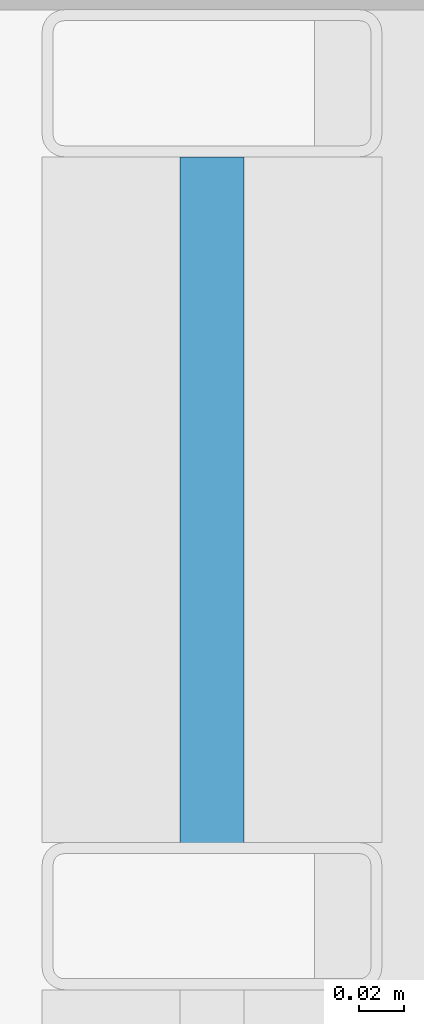
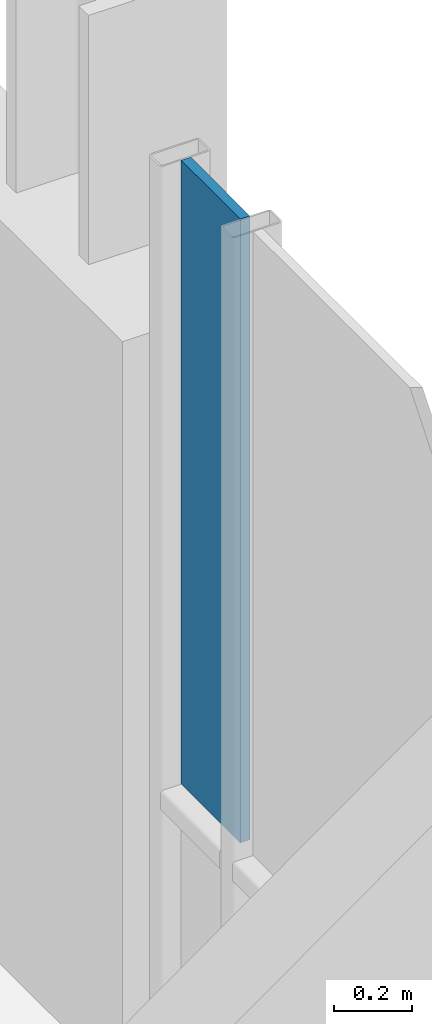
# One storey, part 30 of 41: 1 plate, 1 element without a shape of its own.
"""IFC4 building model written with IfcOpenShell, lengths in metres."""

from ifc_helpers import new_model, si_unit, direction, frame, origin, origin_2d, place, context, subcontext, project, spatial, rectangle, extrude, material, layer, layer_set, type_object, element, aggregate, save


model = new_model("IFC4")

# Units and contexts
model_context = context("Model", 3, precision=1e-05, world=origin(), true_north=direction((0.0, 1.0)))
body_context = subcontext(model_context, "Body", "Model", "MODEL_VIEW")
ifc_project = project(units=[si_unit("LENGTHUNIT", "METRE"), si_unit("AREAUNIT", "SQUARE_METRE"), si_unit("VOLUMEUNIT", "CUBIC_METRE"), si_unit("PLANEANGLEUNIT", "RADIAN"), si_unit("MASSUNIT", "GRAM", prefix="KILO")], contexts=[model_context])

# Site, building, storey
site_placement = place(None, origin())
site = spatial("IfcSite", under=ifc_project, at=site_placement, CompositionType="ELEMENT")
building_placement = place(site_placement, origin())
building = spatial("IfcBuilding", under=site, at=building_placement, Name="Brevholm Reach", CompositionType="ELEMENT")
storey_placement = place(building_placement, frame((0.0, 0.0, 144.89990234375)))
storey = spatial("IfcBuildingStorey", under=building, at=storey_placement, Name="L43", CompositionType="ELEMENT", Elevation=144.89990234375)

# Curtain wall, plate
ifc_material_1 = material(Name="Dark Anodised Aluminium 6063-T6 and Solar-Control Glass", Category="aluminium")
ifc_layer_1 = layer(ifc_material_1, 0.14990234375)
ifc_layer_set_1 = layer_set([ifc_layer_1], Name="Dark Anodised Aluminium 6063-T6 and Solar-Control Glass")
curtain_wall_type = type_object("IfcCurtainWallType", Name="CW-01", PredefinedType="NOTDEFINED", material=ifc_layer_set_1)
curtain_wall_placement = place(storey_placement, origin())
curtain_wall = element("IfcCurtainWall", 1, at=curtain_wall_placement, inside=storey, type_object=curtain_wall_type, Name="L43 Curtain Wall CW-01", PredefinedType="NOTDEFINED")
ifc_material_2 = material(Name="Dark Solar-Control Double-Glazed IGU Glass", Category="glass")
ifc_layer_2 = layer(ifc_material_2, 0.028076171875)
ifc_layer_set_2 = layer_set([ifc_layer_2], Name="Dark Solar-Control Double-Glazed IGU Glass")
plate_type = type_object("IfcPlateType", Name="CWP-GLZ-28", PredefinedType="CURTAIN_PANEL", material=ifc_layer_set_2)
plate_placement = place(storey_placement, frame((59.85009765625, 22.733642578125, 0.9326171875), z_axis=(0.0, 0.0, 1.0), x_axis=(0.0, 1.0, 0.0)))
plate = element("IfcPlate", 2, at=plate_placement, type_object=plate_type, Name="CP-01 Glazing Panel 5.2", PredefinedType="CURTAIN_PANEL", context=body_context, shape_type="SweptSolid", body=[
    extrude(rectangle(XDim=0.302490234375, YDim=0.028076171875, at=origin_2d()), origin(), (0.0, 0.0, 1.0), 1.947509765625),
])
aggregate(curtain_wall, [plate])

save(model, "model.ifc")
